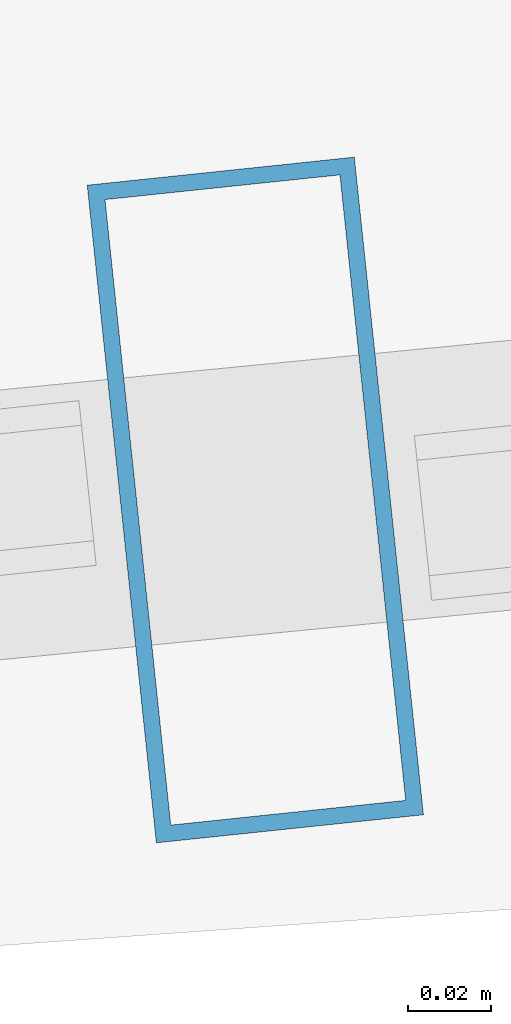
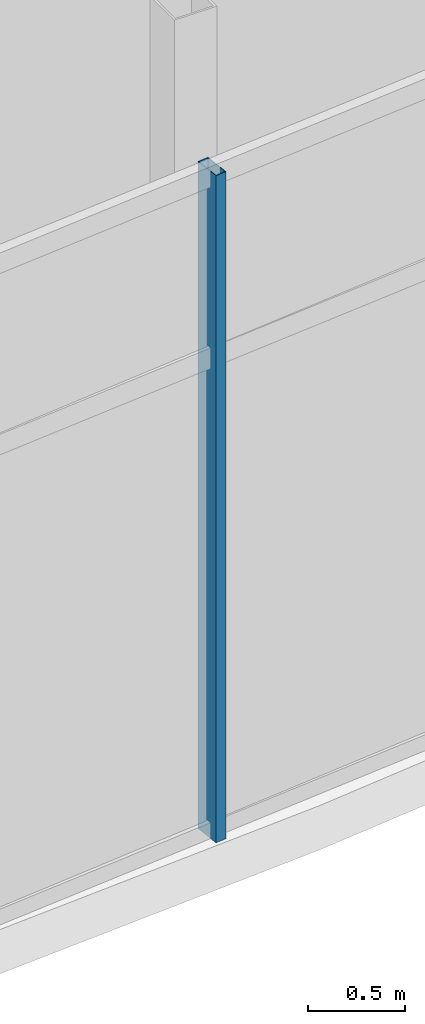
# One storey, part 45 of 114: 1 member, 1 element without a shape of its own.
"""IFC4 building model written with IfcOpenShell, lengths in metres."""

from ifc_helpers import new_model, si_unit, direction, frame, origin, origin_2d, place, context, subcontext, project, spatial, hollow_rectangle, extrude, material, layer, layer_set, material_profile, profile_set, type_object, element, aggregate, save


model = new_model("IFC4")

# Units and contexts
model_context = context("Model", 3, precision=1e-05, world=origin(), true_north=direction((0.0, 1.0)))
body_context = subcontext(model_context, "Body", "Model", "MODEL_VIEW")
ifc_project = project(units=[si_unit("LENGTHUNIT", "METRE"), si_unit("AREAUNIT", "SQUARE_METRE"), si_unit("VOLUMEUNIT", "CUBIC_METRE"), si_unit("PLANEANGLEUNIT", "RADIAN"), si_unit("MASSUNIT", "GRAM", prefix="KILO")], contexts=[model_context])

# Site, building, storey
site_placement = place(None, origin())
site = spatial("IfcSite", under=ifc_project, at=site_placement, CompositionType="ELEMENT")
building_placement = place(site_placement, origin())
building = spatial("IfcBuilding", under=site, at=building_placement, Name="Chalmorin Arch Market", CompositionType="ELEMENT")
storey_placement = place(building_placement, frame((0.0, 0.0, 9.60009765625)))
storey = spatial("IfcBuildingStorey", under=building, at=storey_placement, Name="L02", CompositionType="ELEMENT", Elevation=9.60009765625)

# Curtain wall, member
ifc_material = material(Name="Aluminium 6063-T6", Category="aluminium")
ifc_layer = layer(ifc_material, 0.159912109375)
ifc_layer_set = layer_set([ifc_layer], Name="Aluminium 6063-T6")
curtain_wall_type = type_object("IfcCurtainWallType", Name="CulinaryStudioCurtainWall-CW3-6570x4220", PredefinedType="NOTDEFINED", material=ifc_layer_set)
curtain_wall_placement = place(storey_placement, origin())
curtain_wall = element("IfcCurtainWall", 1, at=curtain_wall_placement, inside=storey, type_object=curtain_wall_type, Name="CW-03-169", PredefinedType="NOTDEFINED")
ifc_material_profile = material_profile(ifc_material, hollow_rectangle(XDim=0.06494140625, YDim=0.159912109375, WallThickness=0.00390625, at=origin_2d()), Name="ALU65X160X4")
ifc_profile_set = profile_set([ifc_material_profile], Name="Aluminium 6063-T6")
member_type = type_object("IfcMemberType", Name="CurtainWallMullion-65x160", PredefinedType="MULLION", material=ifc_profile_set)
member_placement = place(storey_placement, frame((90.58984375, 67.365966796875, 0.0), z_axis=(0.0, 0.0, 1.0), x_axis=(0.994521895368, 0.104528463268, 0.0)))
member = element("IfcMember", 2, at=member_placement, type_object=member_type, Name="ML-169-02", PredefinedType="MULLION", context=body_context, shape_type="SweptSolid", body=[
    extrude(hollow_rectangle(XDim=0.06494140625, YDim=0.159912109375, WallThickness=0.00390625, at=origin_2d()), origin(), (0.0, 0.0, 1.0), 4.219970703125),
])
aggregate(curtain_wall, [member])

save(model, "model.ifc")
